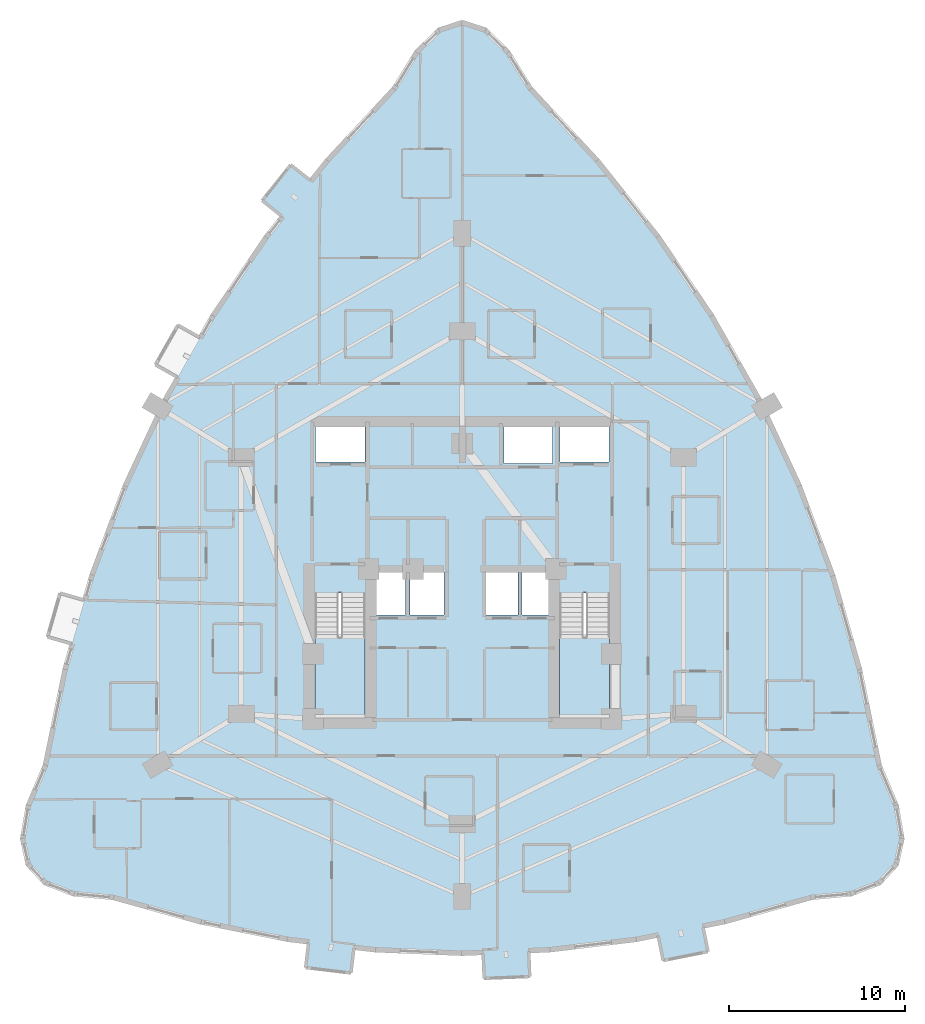
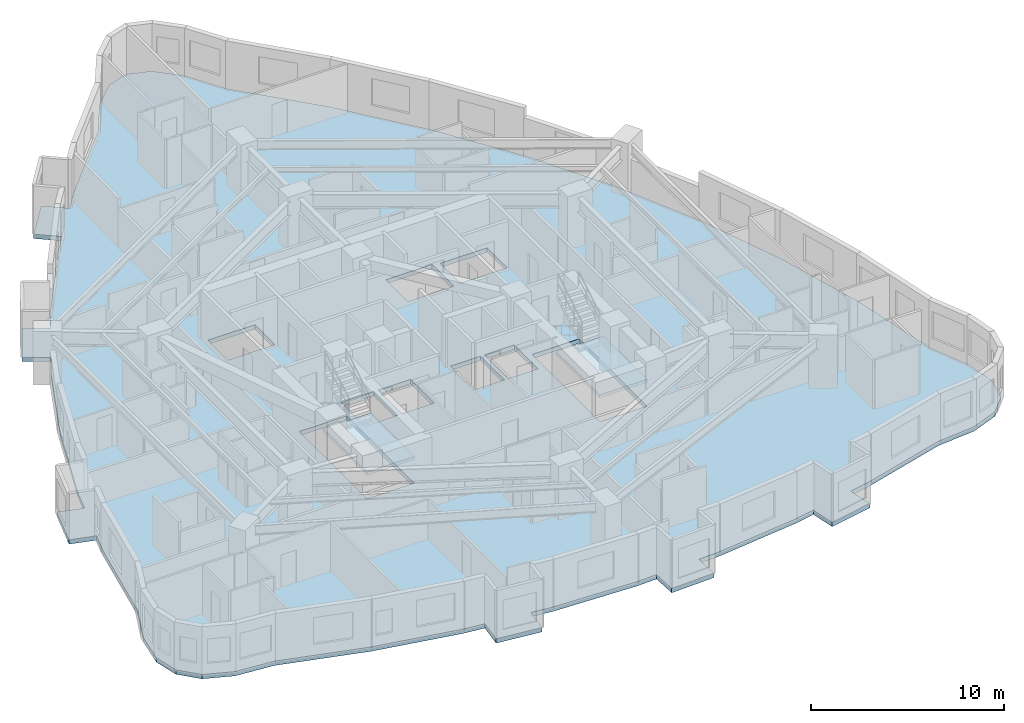
# One storey, part 5 of 15: 3 slabs, 2 elements without a shape of their own.
"""IFC4 building model written with IfcOpenShell, lengths in metres."""

from ifc_helpers import new_model, si_unit, direction, frame, origin, place, context, subcontext, project, spatial, polyline, outline, extrude, material, layer, layer_set, type_object, element, aggregate, save


model = new_model("IFC4")

# Units and contexts
model_context = context("Model", 3, precision=1e-05, world=origin(), true_north=direction((0.0, 1.0)))
body_context = subcontext(model_context, "Body", "Model", "MODEL_VIEW")
ifc_project = project(units=[si_unit("LENGTHUNIT", "METRE"), si_unit("AREAUNIT", "SQUARE_METRE"), si_unit("VOLUMEUNIT", "CUBIC_METRE"), si_unit("PLANEANGLEUNIT", "RADIAN"), si_unit("MASSUNIT", "GRAM", prefix="KILO")], contexts=[model_context])

# Site, building, storey
site_placement = place(None, origin())
site = spatial("IfcSite", under=ifc_project, at=site_placement, CompositionType="ELEMENT")
building_placement = place(site_placement, origin())
building = spatial("IfcBuilding", under=site, at=building_placement, Name="Miruveldt Soraemaru", CompositionType="ELEMENT")
storey_placement = place(building_placement, frame((0.0, 0.0, 36.0)))
storey = spatial("IfcBuildingStorey", under=building, at=storey_placement, Name="L09", CompositionType="ELEMENT", Elevation=36.0)

# Stair, slab
ifc_material = material(Name="Concrete C40/50 (40 MPa)", Category="concrete")
stair_type = type_object("IfcStairType", Name="STAIR-DL-340", PredefinedType="HALF_TURN_STAIR", material=ifc_material)
stair_1_placement = place(storey_placement, origin())
stair_1 = element("IfcStair", 1, at=stair_1_placement, inside=storey, type_object=stair_type, Name="L09 Protected Exit Stair ST-1", PredefinedType="HALF_TURN_STAIR")
ifc_layer_1 = layer(ifc_material, 0.199951171875, Name="Concrete C40/50 (40 MPa)", Category="concrete")
ifc_layer_set_1 = layer_set([ifc_layer_1], Name="Concrete C40/50 (40 MPa)")
slab_type_1 = type_object("IfcSlabType", Name="SLAB-LAND-200", PredefinedType="LANDING", material=ifc_layer_set_1)
slab_1_placement = place(storey_placement, frame((0.0, 0.0, 1.5)))
slab_1 = element("IfcSlab", 2, at=slab_1_placement, type_object=slab_type_1, Name="ST-1 landing 1", PredefinedType="LANDING", context=body_context, shape_type="SweptSolid", body=[
    extrude(outline(polyline([(35.60009765625, 40.197998046875), (35.60009765625, 35.64990234375), (38.449951171875, 35.64990234375), (38.449951171875, 40.197998046875), (35.60009765625, 40.197998046875)])), origin(), (0.0, 0.0, 1.0), 0.199951171875),
])
aggregate(stair_1, [slab_1])

stair_2_placement = place(storey_placement, origin())
stair_2 = element("IfcStair", 3, at=stair_2_placement, inside=storey, type_object=stair_type, Name="L09 Protected Exit Stair ST-2", PredefinedType="HALF_TURN_STAIR")
slab_2_placement = place(storey_placement, frame((0.0, 0.0, 1.5)))
slab_2 = element("IfcSlab", 4, at=slab_2_placement, type_object=slab_type_1, Name="ST-2 landing 1", PredefinedType="LANDING", context=body_context, shape_type="SweptSolid", body=[
    extrude(outline(polyline([(49.550048828125, 40.197998046875), (49.550048828125, 35.64990234375), (52.39990234375, 35.64990234375), (52.39990234375, 40.197998046875), (49.550048828125, 40.197998046875)])), origin(), (0.0, 0.0, 1.0), 0.199951171875),
])
aggregate(stair_2, [slab_2])

# Slab
ifc_layer_2 = layer(ifc_material, 0.27490234375, Name="Concrete C40/50 (40 MPa)", Category="concrete")
ifc_layer_set_2 = layer_set([ifc_layer_2], Name="Concrete C40/50 (40 MPa)")
slab_type_2 = type_object("IfcSlabType", Name="SLAB-RES1-275", PredefinedType="FLOOR", material=ifc_layer_set_2)
slab_3_placement = place(storey_placement, frame((0.0, 0.0, -0.27490234375)))
element("IfcSlab", 5, at=slab_3_placement, inside=storey, type_object=slab_type_2, Name="L09 Structural Floor Slab", PredefinedType="FLOOR", context=body_context, shape_type="SweptSolid", body=[
    extrude(outline(polyline([(45.246337890625, 20.72412109375), (45.187255859375, 22.202880859375), (44.0, 22.155517578125), (39.027587890625, 22.354248046875), (37.832275390625, 22.497802734375), (37.656005859375, 21.0283203125), (35.07470703125, 21.337890625), (35.2509765625, 22.8076171875), (36.54150390625, 22.652587890625), (34.055419921875, 22.950927734375), (29.083251953125, 23.9453125), (24.111083984375, 25.337646484375), (21.85498046875, 25.546142578125), (20.24365234375, 26.17138671875), (19.27685546875, 27.213134765625), (18.95458984375, 28.672119140625), (19.27685546875, 30.547607421875), (20.24365234375, 32.83984375), (21.37939453125, 38.35888671875), (22.14013671875, 41.018798828125), (21.78271484375, 39.768798828125), (20.35986328125, 40.17578125), (21.07470703125, 42.67578125), (22.497802734375, 42.268798828125), (22.90087890625, 43.6787109375), (24.808349609375, 48.800048828125), (27.1015625, 53.722412109375), (28.441162109375, 56.083984375), (27.7998046875, 54.953125), (26.51220703125, 55.683349609375), (27.795166015625, 57.945068359375), (29.08251953125, 57.21484375), (29.780517578125, 58.44580078125), (32.845458984375, 62.97021484375), (34.57080078125, 65.133056640625), (33.760009765625, 64.11669921875), (32.60302734375, 65.039794921875), (34.224609375, 67.072265625), (35.381591796875, 66.149169921875), (36.296142578125, 67.2958984375), (40.1328125, 71.422607421875), (41.421875, 73.50634765625), (42.7109375, 74.7568359375), (44.0, 75.173583984375), (45.2890625, 74.7568359375), (46.578125, 73.50634765625), (47.8671875, 71.422607421875), (51.703857421875, 67.2958984375), (55.154541015625, 62.97021484375), (58.219482421875, 58.44580078125), (60.8984375, 53.722412109375), (63.191650390625, 48.800048828125), (65.09912109375, 43.6787109375), (66.62060546875, 38.35888671875), (67.75634765625, 32.83984375), (68.72314453125, 30.547607421875), (69.04541015625, 28.672119140625), (68.72314453125, 27.213134765625), (67.75634765625, 26.17138671875), (66.14501953125, 25.546142578125), (63.888916015625, 25.337646484375), (58.916748046875, 23.9453125), (56.4306640625, 23.4482421875), (57.705322265625, 23.703125), (57.99560546875, 22.251708984375), (55.446044921875, 21.741943359375), (55.156005859375, 23.193359375), (53.944580078125, 22.950927734375), (48.972412109375, 22.354248046875), (46.486083984375, 22.2548828125), (47.78515625, 22.306884765625), (47.84423828125, 20.827880859375), (45.246337890625, 20.72412109375)]), holes=[polyline([(35.614990234375, 35.6650390625), (38.43505859375, 35.6650390625), (38.43505859375, 42.68505859375), (35.614990234375, 42.68505859375), (35.614990234375, 35.6650390625)]), polyline([(49.56494140625, 35.6650390625), (52.385009765625, 35.6650390625), (52.385009765625, 42.68505859375), (49.56494140625, 42.68505859375), (49.56494140625, 35.6650390625)]), polyline([(40.764892578125, 41.4150390625), (40.764892578125, 43.885009765625), (38.81494140625, 43.885009765625), (38.81494140625, 41.4150390625), (40.764892578125, 41.4150390625)]), polyline([(42.965087890625, 41.4150390625), (42.965087890625, 43.885009765625), (41.034912109375, 43.885009765625), (41.034912109375, 41.4150390625), (42.965087890625, 41.4150390625)]), polyline([(47.1650390625, 41.4150390625), (47.1650390625, 43.885009765625), (45.364990234375, 43.885009765625), (45.364990234375, 41.4150390625), (47.1650390625, 41.4150390625)]), polyline([(49.18505859375, 41.4150390625), (49.18505859375, 43.885009765625), (47.39501953125, 43.885009765625), (47.39501953125, 41.4150390625), (49.18505859375, 41.4150390625)]), polyline([(38.445068359375, 50.135009765625), (38.445068359375, 52.205078125), (35.635009765625, 52.205078125), (35.635009765625, 50.135009765625), (38.445068359375, 50.135009765625)]), polyline([(49.554931640625, 50.135009765625), (52.364990234375, 50.135009765625), (52.364990234375, 52.205078125), (49.554931640625, 52.205078125), (49.554931640625, 50.135009765625)]), polyline([(46.364990234375, 50.06494140625), (49.135009765625, 50.06494140625), (49.135009765625, 52.3349609375), (46.364990234375, 52.3349609375), (46.364990234375, 50.06494140625)])]), origin(), (0.0, 0.0, 1.0), 0.27490234375),
])

save(model, "model.ifc")
